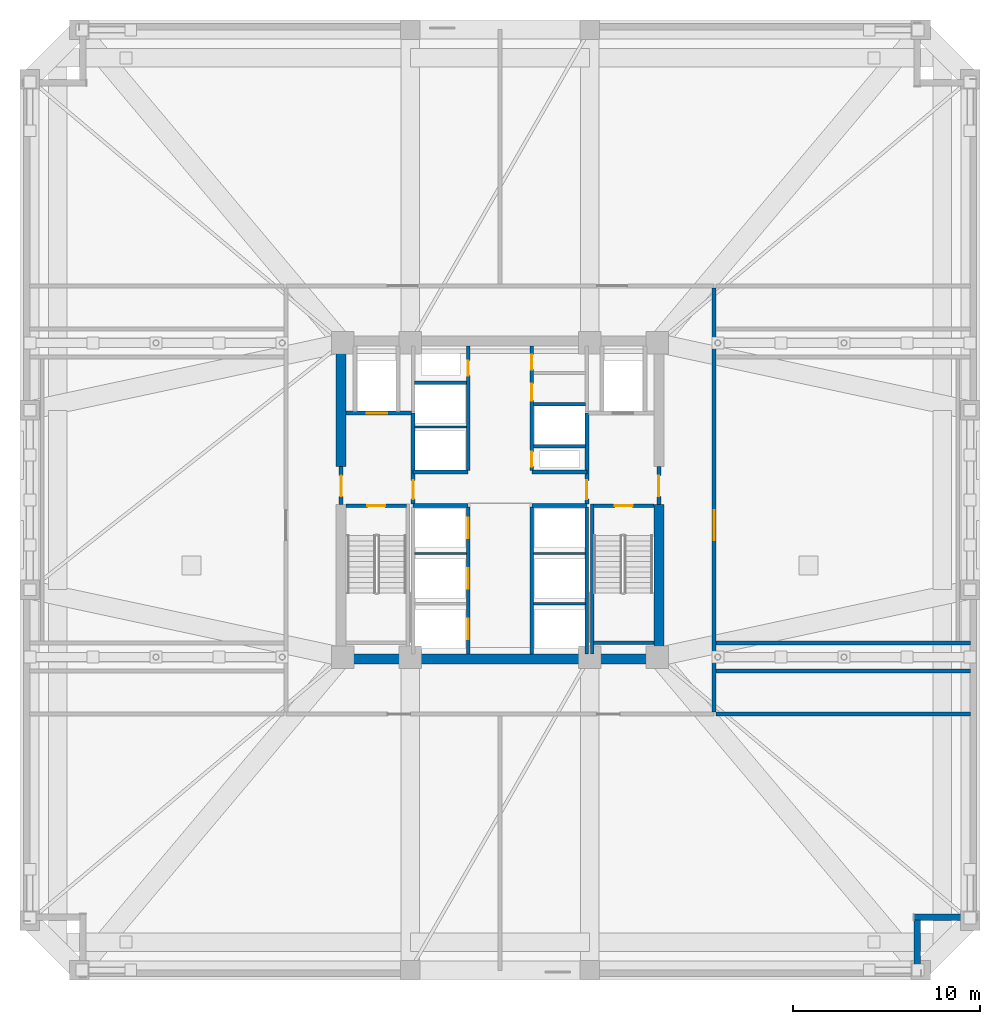
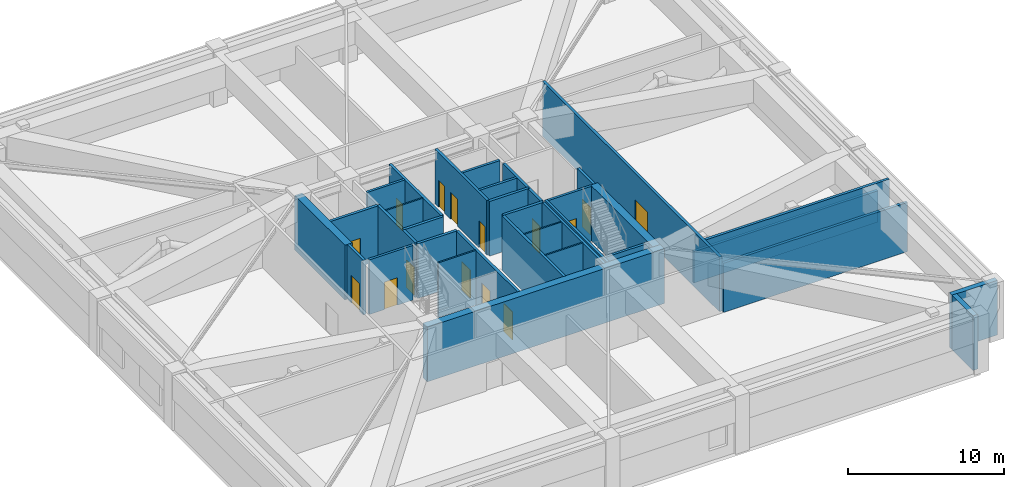
# One storey, part 7 of 13: 34 walls, 15 doors, 15 openings.
"""IFC4 building model written with IfcOpenShell, lengths in metres."""

from ifc_helpers import new_model, si_unit, direction, frame, frame_2d, origin, place, context, subcontext, project, spatial, rectangle, extrude, material, layer, layer_set, type_object, element, fill, save


model = new_model("IFC4")

# Units and contexts
model_context = context("Model", 3, precision=1e-05, world=origin(), true_north=direction((0.0, 1.0)))
body_context = subcontext(model_context, "Body", "Model", "MODEL_VIEW")
ifc_project = project(units=[si_unit("LENGTHUNIT", "METRE"), si_unit("AREAUNIT", "SQUARE_METRE"), si_unit("VOLUMEUNIT", "CUBIC_METRE"), si_unit("PLANEANGLEUNIT", "RADIAN"), si_unit("MASSUNIT", "GRAM", prefix="KILO")], contexts=[model_context])

# Site, building, storey
site_placement = place(None, origin())
site = spatial("IfcSite", under=ifc_project, at=site_placement, CompositionType="ELEMENT")
building_placement = place(site_placement, origin())
building = spatial("IfcBuilding", under=site, at=building_placement, Name="Cairnveth Concourse Tower", CompositionType="ELEMENT")
storey_placement = place(building_placement, frame((0.0, 0.0, 97.0)))
storey = spatial("IfcBuildingStorey", under=building, at=storey_placement, Name="L26", CompositionType="ELEMENT", Elevation=97.0)

# Walls
ifc_material_1 = material(Name="Concrete N80 (80 MPa)", Category="concrete")
ifc_layer_1 = layer(ifc_material_1, 0.550048828125)
ifc_layer_set_1 = layer_set([ifc_layer_1], Name="Concrete N80 (80 MPa)")
wall_type_1 = type_object("IfcWallType", Name="CORE SHEAR WALL 550", PredefinedType="SHEAR", material=ifc_layer_set_1)
wall_1_placement = place(storey_placement, frame((43.22509765625, 30.5, 0.0), z_axis=(0.0, 0.0, 1.0), x_axis=(1.0, 0.0, 0.0)))
element("IfcWall", 1, at=wall_1_placement, inside=storey, type_object=wall_type_1, Name="Core South Shear Wall L26", PredefinedType="SHEAR", context=body_context, shape_type="SweptSolid", body=[
    extrude(rectangle(XDim=17.5498046875, YDim=0.550048828125, at=frame_2d((8.77490234375, 0.0))), origin(), (0.0, 0.0, 1.0), 4.280029296875),
])
wall_2_placement = place(storey_placement, frame((43.5, 40.800048828125, 0.0), z_axis=(0.0, 0.0, 1.0), x_axis=(0.0, 1.0, 0.0)))
element("IfcWall", 2, at=wall_2_placement, inside=storey, type_object=wall_type_1, Name="Core West Shear Wall N L26", PredefinedType="SHEAR", context=body_context, shape_type="SweptSolid", body=[
    extrude(rectangle(XDim=6.43505859375, YDim=0.550048828125, at=frame_2d((3.217529296875, 0.0))), origin(), (0.0, 0.0, 1.0), 4.280029296875),
])
wall_3_placement = place(storey_placement, frame((60.5, 30.764892578125, 0.0), z_axis=(0.0, 0.0, 1.0), x_axis=(0.0, 1.0, 0.0)))
element("IfcWall", 3, at=wall_3_placement, inside=storey, type_object=wall_type_1, Name="Core East Shear Wall S L26", PredefinedType="SHEAR", context=body_context, shape_type="SweptSolid", body=[
    extrude(rectangle(XDim=7.985107421875, YDim=0.550048828125, at=frame_2d((3.99267578125, 0.0))), origin(), (0.0, 0.0, 1.0), 4.280029296875),
])
ifc_material_2 = material(Name="Concrete N50 (50 MPa)", Category="concrete")
ifc_layer_2 = layer(ifc_material_2, 0.179931640625)
ifc_layer_set_2 = layer_set([ifc_layer_2], Name="Concrete N50 (50 MPa)")
wall_type_2 = type_object("IfcWallType", Name="FIRE SHAFT WALL 180", PredefinedType="SOLIDWALL", material=ifc_layer_set_2)
wall_4_placement = place(storey_placement, frame((56.64990234375, 30.760009765625, 0.0), z_axis=(0.0, 0.0, 1.0), x_axis=(0.0, 1.0, 0.0)))
element("IfcWall", 4, at=wall_4_placement, inside=storey, type_object=wall_type_2, Name="Interior Wall IW-L26-028", PredefinedType="SOLIDWALL", context=body_context, shape_type="SweptSolid", body=[
    extrude(rectangle(XDim=7.85498046875, YDim=0.179931640625, at=frame_2d((3.927490234375, 0.0))), origin(), (0.0, 0.0, 1.0), 4.280029296875),
])
wall_5_placement = place(storey_placement, frame((47.425048828125, 45.280029296875, 0.0), z_axis=(0.0, 0.0, 1.0), x_axis=(1.0, 0.0, 0.0)))
element("IfcWall", 5, at=wall_5_placement, inside=storey, type_object=wall_type_2, Name="Interior Wall IW-L26-033", PredefinedType="SOLIDWALL", context=body_context, shape_type="SweptSolid", body=[
    extrude(rectangle(XDim=2.7900390625, YDim=0.179931640625, at=frame_2d((1.39501953125, 0.0))), origin(), (0.0, 0.0, 1.0), 4.280029296875),
])
wall_6_placement = place(storey_placement, frame((53.784912109375, 41.8798828125, 0.0), z_axis=(0.0, 0.0, 1.0), x_axis=(1.0, 0.0, 0.0)))
element("IfcWall", 6, at=wall_6_placement, inside=storey, type_object=wall_type_2, Name="Interior Wall IW-L26-035", PredefinedType="SOLIDWALL", context=body_context, shape_type="SweptSolid", body=[
    extrude(rectangle(XDim=2.780029296875, YDim=0.179931640625, at=frame_2d((1.39013671875, 0.0))), origin(), (0.0, 0.0, 1.0), 4.280029296875),
])
wall_7_placement = place(storey_placement, frame((53.784912109375, 44.1201171875, 0.0), z_axis=(0.0, 0.0, 1.0), x_axis=(1.0, 0.0, 0.0)))
element("IfcWall", 7, at=wall_7_placement, inside=storey, type_object=wall_type_2, Name="Interior Wall IW-L26-036", PredefinedType="SOLIDWALL", context=body_context, shape_type="SweptSolid", body=[
    extrude(rectangle(XDim=2.7900390625, YDim=0.179931640625, at=frame_2d((1.39501953125, 0.0))), origin(), (0.0, 0.0, 1.0), 4.280029296875),
])

# Wall, opening, door
wall_8_placement = place(storey_placement, frame((43.764892578125, 38.68994140625, 0.0), z_axis=(0.0, 0.0, 1.0), x_axis=(1.0, 0.0, 0.0)))
wall_8 = element("IfcWall", 8, at=wall_8_placement, inside=storey, type_object=wall_type_2, Name="Stair ST-1 Shaft Wall NEAR L26", PredefinedType="SOLIDWALL", context=body_context, shape_type="SweptSolid", body=[
    extrude(rectangle(XDim=3.230224609375, YDim=0.179931640625, at=frame_2d((1.615234375, 0.0))), origin(), (0.0, 0.0, 1.0), 4.280029296875),
])
opening_1_placement = place(wall_8_placement, frame((1.139892578125, 0.0, 0.0)))
opening_1 = element("IfcOpeningElement", 9, at=opening_1_placement, cuts=wall_8, Name="Opening ID12", PredefinedType="OPENING", context=body_context, shape_type="SweptSolid", body=[
    extrude(rectangle(XDim=0.949951171875, YDim=2.14990234375, at=frame_2d((0.47509765625, 1.074951171875))), frame((0.0, 0.099853515625, 0.0), z_axis=(0.0, -1.0, 0.0), x_axis=(1.0, 0.0, 0.0)), (0.0, 0.0, 1.0), 0.199951171875),
])
ifc_material_3 = material(Name="Steel Grade 350", Category="steel")
door_type_1 = type_object("IfcDoorType", Name="FIRE STAIR DOOR 950X2150", OperationType="NOTDEFINED", PredefinedType="DOOR", material=ifc_material_3)
door_1_placement = place(opening_1_placement, origin())
door_1 = element("IfcDoor", 10, at=door_1_placement, inside=storey, type_object=door_type_1, Name="Stair ST-1 Fire Door L26", OperationType="SINGLE_SWING_LEFT", OverallHeight=2.14990234375, OverallWidth=0.949951171875, PredefinedType="DOOR", context=body_context, shape_type="SweptSolid", body=[
    extrude(rectangle(XDim=0.949951171875, YDim=2.14990234375, at=frame_2d((0.47509765625, 1.074951171875))), frame((0.0, 0.02490234375, 0.0), z_axis=(0.0, -1.0, 0.0), x_axis=(1.0, 0.0, 0.0)), (0.0, 0.0, 1.0), 0.050048828125),
])
fill(opening_1, door_1)

wall_9_placement = place(storey_placement, frame((57.0048828125, 38.68994140625, 0.0), z_axis=(0.0, 0.0, 1.0), x_axis=(1.0, 0.0, 0.0)))
wall_9 = element("IfcWall", 11, at=wall_9_placement, inside=storey, type_object=wall_type_2, Name="Stair ST-2 Shaft Wall NEAR L26", PredefinedType="SOLIDWALL", context=body_context, shape_type="SweptSolid", body=[
    extrude(rectangle(XDim=3.230224609375, YDim=0.179931640625, at=frame_2d((1.615234375, 0.0))), origin(), (0.0, 0.0, 1.0), 4.280029296875),
])
opening_2_placement = place(wall_9_placement, frame((1.139892578125, 0.0, 0.0)))
opening_2 = element("IfcOpeningElement", 12, at=opening_2_placement, cuts=wall_9, Name="Opening ID12", PredefinedType="OPENING", context=body_context, shape_type="SweptSolid", body=[
    extrude(rectangle(XDim=0.949951171875, YDim=2.14990234375, at=frame_2d((0.47509765625, 1.074951171875))), frame((0.0, 0.099853515625, 0.0), z_axis=(0.0, -1.0, 0.0), x_axis=(1.0, 0.0, 0.0)), (0.0, 0.0, 1.0), 0.199951171875),
])
door_2_placement = place(opening_2_placement, origin())
door_2 = element("IfcDoor", 13, at=door_2_placement, inside=storey, type_object=door_type_1, Name="Stair ST-2 Fire Door L26", OperationType="SINGLE_SWING_RIGHT", OverallHeight=2.14990234375, OverallWidth=0.949951171875, PredefinedType="DOOR", context=body_context, shape_type="SweptSolid", body=[
    extrude(rectangle(XDim=0.949951171875, YDim=2.14990234375, at=frame_2d((0.47509765625, 1.074951171875))), frame((0.0, 0.02490234375, 0.0), z_axis=(0.0, -1.0, 0.0), x_axis=(1.0, 0.0, 0.0)), (0.0, 0.0, 1.0), 0.050048828125),
])
fill(opening_2, door_2)

# Walls
wall_10_placement = place(storey_placement, frame((57.0048828125, 31.360107421875, 0.0), z_axis=(0.0, 0.0, 1.0), x_axis=(1.0, 0.0, 0.0)))
element("IfcWall", 14, at=wall_10_placement, inside=storey, type_object=wall_type_2, Name="Stair ST-2 Shaft Wall FAR L26", PredefinedType="SOLIDWALL", context=body_context, shape_type="SweptSolid", body=[
    extrude(rectangle(XDim=3.230224609375, YDim=0.179931640625, at=frame_2d((1.615234375, 0.0))), origin(), (0.0, 0.0, 1.0), 4.280029296875),
])
wall_11_placement = place(storey_placement, frame((56.929931640625, 38.780029296875, 0.0), z_axis=(0.0, 0.0, 1.0), x_axis=(0.0, -1.0, 0.0)))
element("IfcWall", 15, at=wall_11_placement, inside=storey, type_object=wall_type_2, Name="Stair ST-2 Shaft Wall LEFT L26", PredefinedType="SOLIDWALL", context=body_context, shape_type="SweptSolid", body=[
    extrude(rectangle(XDim=8.01708984375, YDim=0.179931640625, at=frame_2d((4.008544921875, 0.0))), origin(), (0.0, 0.0, 1.0), 4.280029296875),
])
ifc_layer_3 = layer(ifc_material_2, 0.199951171875)
ifc_layer_set_3 = layer_set([ifc_layer_3], Name="Concrete N50 (50 MPa)")
wall_type_3 = type_object("IfcWallType", Name="FIRE SHAFT WALL 200", PredefinedType="SOLIDWALL", material=ifc_layer_set_3)
for number, where, z_axis, x_axis, name in (
    (16, (47.35009765625, 38.699951171875, 0.0), (0.0, 0.0, 1.0), (1.0, 0.0, 0.0), "Interior Wall IW-L26-007"),
    (17, (47.35009765625, 40.5, 0.0), (0.0, 0.0, 1.0), (1.0, 0.0, 0.0), "Interior Wall IW-L26-008"),
    (18, (53.699951171875, 38.699951171875, 0.0), (0.0, 0.0, 1.0), (1.0, 0.0, 0.0), "Interior Wall IW-L26-009"),
    (19, (53.699951171875, 40.5, 0.0), (0.0, 0.0, 1.0), (1.0, 0.0, 0.0), "Interior Wall IW-L26-010"),
):
    element("IfcWall", number, at=place(storey_placement, frame(where, z_axis=z_axis, x_axis=x_axis)), inside=storey, type_object=wall_type_3, Name=name, PredefinedType="SOLIDWALL", context=body_context, shape_type="SweptSolid", body=[
        extrude(rectangle(XDim=2.949951171875, YDim=0.199951171875, at=frame_2d((1.47509765625, 0.0))), origin(), (0.0, 0.0, 1.0), 4.280029296875),
    ])

# Wall, openings, doors
wall_12_placement = place(storey_placement, frame((50.300048828125, 30.760009765625, 0.0), z_axis=(0.0, 0.0, 1.0), x_axis=(0.0, 1.0, 0.0)))
wall_12 = element("IfcWall", 20, at=wall_12_placement, inside=storey, type_object=wall_type_3, Name="Interior Wall IW-L26-011", PredefinedType="SOLIDWALL", context=body_context, shape_type="SweptSolid", body=[
    extrude(rectangle(XDim=7.85498046875, YDim=0.199951171875, at=frame_2d((3.927490234375, 0.0))), origin(), (0.0, 0.0, 1.0), 4.280029296875),
])
opening_3_placement = place(wall_12_placement, frame((0.7900390625, 0.0, 0.0)))
opening_3 = element("IfcOpeningElement", 21, at=opening_3_placement, cuts=wall_12, Name="Opening LD-1", PredefinedType="OPENING", context=body_context, shape_type="SweptSolid", body=[
    extrude(rectangle(XDim=1.10009765625, YDim=2.199951171875, at=frame_2d((0.550048828125, 1.10009765625))), frame((0.0, 0.10986328125, 0.0), z_axis=(0.0, -1.0, 0.0), x_axis=(1.0, 0.0, 0.0)), (0.0, 0.0, 1.0), 0.219970703125),
])
opening_4_placement = place(wall_12_placement, frame((3.489990234375, 0.0, 0.0)))
opening_4 = element("IfcOpeningElement", 22, at=opening_4_placement, cuts=wall_12, Name="Opening LD-1", PredefinedType="OPENING", context=body_context, shape_type="SweptSolid", body=[
    extrude(rectangle(XDim=1.10009765625, YDim=2.199951171875, at=frame_2d((0.550048828125, 1.10009765625))), frame((0.0, 0.10986328125, 0.0), z_axis=(0.0, -1.0, 0.0), x_axis=(1.0, 0.0, 0.0)), (0.0, 0.0, 1.0), 0.219970703125),
])
opening_5_placement = place(wall_12_placement, frame((6.18994140625, 0.0, 0.0)))
opening_5 = element("IfcOpeningElement", 23, at=opening_5_placement, cuts=wall_12, Name="Opening LD-1", PredefinedType="OPENING", context=body_context, shape_type="SweptSolid", body=[
    extrude(rectangle(XDim=1.10009765625, YDim=2.199951171875, at=frame_2d((0.550048828125, 1.10009765625))), frame((0.0, 0.10986328125, 0.0), z_axis=(0.0, -1.0, 0.0), x_axis=(1.0, 0.0, 0.0)), (0.0, 0.0, 1.0), 0.219970703125),
])
ifc_material_4 = material(Name="Architectural Bronze Anodised Aluminium 6063-T6", Category="aluminium")
door_type_2 = type_object("IfcDoorType", Name="LIFT LANDING DOOR 1100X2200", OperationType="SLIDING_TO_LEFT", PredefinedType="DOOR", material=ifc_material_4)
door_3_placement = place(opening_3_placement, origin())
door_3 = element("IfcDoor", 24, at=door_3_placement, inside=storey, type_object=door_type_2, Name="Lift PL1 Landing Door L26", OperationType="SLIDING_TO_LEFT", OverallHeight=2.199951171875, OverallWidth=1.10009765625, PredefinedType="DOOR", context=body_context, shape_type="SweptSolid", body=[
    extrude(rectangle(XDim=1.10009765625, YDim=2.199951171875, at=frame_2d((0.550048828125, 1.10009765625))), frame((0.0, 0.02490234375, 0.0), z_axis=(0.0, -1.0, 0.0), x_axis=(1.0, 0.0, 0.0)), (0.0, 0.0, 1.0), 0.050048828125),
])
fill(opening_3, door_3)
door_4_placement = place(opening_4_placement, origin())
door_4 = element("IfcDoor", 25, at=door_4_placement, inside=storey, type_object=door_type_2, Name="Lift PL2 Landing Door L26", OperationType="SLIDING_TO_LEFT", OverallHeight=2.199951171875, OverallWidth=1.10009765625, PredefinedType="DOOR", context=body_context, shape_type="SweptSolid", body=[
    extrude(rectangle(XDim=1.10009765625, YDim=2.199951171875, at=frame_2d((0.550048828125, 1.10009765625))), frame((0.0, 0.02490234375, 0.0), z_axis=(0.0, -1.0, 0.0), x_axis=(1.0, 0.0, 0.0)), (0.0, 0.0, 1.0), 0.050048828125),
])
fill(opening_4, door_4)
door_5_placement = place(opening_5_placement, origin())
door_5 = element("IfcDoor", 26, at=door_5_placement, inside=storey, type_object=door_type_2, Name="Lift PL3 Landing Door L26", OperationType="SLIDING_TO_LEFT", OverallHeight=2.199951171875, OverallWidth=1.10009765625, PredefinedType="DOOR", context=body_context, shape_type="SweptSolid", body=[
    extrude(rectangle(XDim=1.10009765625, YDim=2.199951171875, at=frame_2d((0.550048828125, 1.10009765625))), frame((0.0, 0.02490234375, 0.0), z_axis=(0.0, -1.0, 0.0), x_axis=(1.0, 0.0, 0.0)), (0.0, 0.0, 1.0), 0.050048828125),
])
fill(opening_5, door_5)

# Wall
wall_13_placement = place(storey_placement, frame((53.699951171875, 30.760009765625, 0.0), z_axis=(0.0, 0.0, 1.0), x_axis=(0.0, 1.0, 0.0)))
element("IfcWall", 27, at=wall_13_placement, inside=storey, type_object=wall_type_3, Name="Interior Wall IW-L26-012", PredefinedType="SOLIDWALL", context=body_context, shape_type="SweptSolid", body=[
    extrude(rectangle(XDim=7.85498046875, YDim=0.199951171875, at=frame_2d((3.927490234375, 0.0))), origin(), (0.0, 0.0, 1.0), 4.280029296875),
])

# Wall, opening, door
wall_14_placement = place(storey_placement, frame((50.300048828125, 40.5849609375, 0.0), z_axis=(0.0, 0.0, 1.0), x_axis=(0.0, 1.0, 0.0)))
wall_14 = element("IfcWall", 28, at=wall_14_placement, inside=storey, type_object=wall_type_3, Name="Interior Wall IW-L26-013", PredefinedType="SOLIDWALL", context=body_context, shape_type="SweptSolid", body=[
    extrude(rectangle(XDim=6.655029296875, YDim=0.199951171875, at=frame_2d((3.32763671875, 0.0))), origin(), (0.0, 0.0, 1.0), 4.280029296875),
])
opening_6_placement = place(wall_14_placement, frame((5.06494140625, 0.0, 0.0)))
opening_6 = element("IfcOpeningElement", 29, at=opening_6_placement, cuts=wall_14, Name="Opening ID24", PredefinedType="OPENING", context=body_context, shape_type="SweptSolid", body=[
    extrude(rectangle(XDim=0.800048828125, YDim=2.080078125, at=frame_2d((0.39990234375, 1.0400390625))), frame((0.0, 0.10986328125, 0.0), z_axis=(0.0, -1.0, 0.0), x_axis=(1.0, 0.0, 0.0)), (0.0, 0.0, 1.0), 0.219970703125),
])
door_type_3 = type_object("IfcDoorType", Name="RISER ACCESS DOOR 800X2100", OperationType="NOTDEFINED", PredefinedType="DOOR", material=ifc_material_3)
door_6_placement = place(opening_6_placement, origin())
door_6 = element("IfcDoor", 30, at=door_6_placement, inside=storey, type_object=door_type_3, Name="NW Electrical Riser Access Door L26", OperationType="SINGLE_SWING_RIGHT", OverallHeight=2.080078125, OverallWidth=0.800048828125, PredefinedType="DOOR", context=body_context, shape_type="SweptSolid", body=[
    extrude(rectangle(XDim=0.800048828125, YDim=2.080078125, at=frame_2d((0.39990234375, 1.0400390625))), frame((0.0, 0.02490234375, 0.0), z_axis=(0.0, -1.0, 0.0), x_axis=(1.0, 0.0, 0.0)), (0.0, 0.0, 1.0), 0.050048828125),
])
fill(opening_6, door_6)

# Wall, openings, doors
wall_15_placement = place(storey_placement, frame((53.699951171875, 40.5849609375, 0.0), z_axis=(0.0, 0.0, 1.0), x_axis=(0.0, 1.0, 0.0)))
wall_15 = element("IfcWall", 31, at=wall_15_placement, inside=storey, type_object=wall_type_3, Name="Interior Wall IW-L26-014", PredefinedType="SOLIDWALL", context=body_context, shape_type="SweptSolid", body=[
    extrude(rectangle(XDim=6.655029296875, YDim=0.199951171875, at=frame_2d((3.32763671875, 0.0))), origin(), (0.0, 0.0, 1.0), 4.280029296875),
])
opening_7_placement = place(wall_15_placement, frame((0.195068359375, 0.0, 0.0)))
opening_7 = element("IfcOpeningElement", 32, at=opening_7_placement, cuts=wall_15, Name="Opening ID24", PredefinedType="OPENING", context=body_context, shape_type="SweptSolid", body=[
    extrude(rectangle(XDim=0.800048828125, YDim=2.080078125, at=frame_2d((0.39990234375, 1.0400390625))), frame((0.0, 0.10986328125, 0.0), z_axis=(0.0, -1.0, 0.0), x_axis=(1.0, 0.0, 0.0)), (0.0, 0.0, 1.0), 0.219970703125),
])
opening_8_placement = place(wall_15_placement, frame((3.735107421875, 0.0, 0.0)))
opening_8 = element("IfcOpeningElement", 33, at=opening_8_placement, cuts=wall_15, Name="Opening ID26", PredefinedType="OPENING", context=body_context, shape_type="SweptSolid", body=[
    extrude(rectangle(XDim=0.89990234375, YDim=2.1201171875, at=frame_2d((0.449951171875, 1.06005859375))), frame((0.0, 0.10986328125, 0.0), z_axis=(0.0, -1.0, 0.0), x_axis=(1.0, 0.0, 0.0)), (0.0, 0.0, 1.0), 0.219970703125),
])
opening_9_placement = place(wall_15_placement, frame((5.39501953125, 0.0, 0.0)))
opening_9 = element("IfcOpeningElement", 34, at=opening_9_placement, cuts=wall_15, Name="Opening ID23", PredefinedType="OPENING", context=body_context, shape_type="SweptSolid", body=[
    extrude(rectangle(XDim=0.800048828125, YDim=2.10009765625, at=frame_2d((0.39990234375, 1.050048828125))), frame((0.0, 0.10986328125, 0.0), z_axis=(0.0, -1.0, 0.0), x_axis=(1.0, 0.0, 0.0)), (0.0, 0.0, 1.0), 0.219970703125),
])
door_type_4 = type_object("IfcDoorType", Name="CORE SERVICE DOOR 800X2100", OperationType="NOTDEFINED", PredefinedType="DOOR", material=ifc_material_3)
door_7_placement = place(opening_9_placement, origin())
door_7 = element("IfcDoor", 35, at=door_7_placement, inside=storey, type_object=door_type_4, Name="Core NE Cleaners Door L26", OperationType="SINGLE_SWING_LEFT", OverallHeight=2.10009765625, OverallWidth=0.800048828125, PredefinedType="DOOR", context=body_context, shape_type="SweptSolid", body=[
    extrude(rectangle(XDim=0.800048828125, YDim=2.10009765625, at=frame_2d((0.39990234375, 1.050048828125))), frame((0.0, 0.02490234375, 0.0), z_axis=(0.0, -1.0, 0.0), x_axis=(1.0, 0.0, 0.0)), (0.0, 0.0, 1.0), 0.050048828125),
])
fill(opening_9, door_7)
door_type_5 = type_object("IfcDoorType", Name="CORE TOILET FIRE DOOR 900X2120", OperationType="NOTDEFINED", PredefinedType="DOOR", material=ifc_material_3)
door_8_placement = place(opening_8_placement, origin())
door_8 = element("IfcDoor", 36, at=door_8_placement, inside=storey, type_object=door_type_5, Name="Core NE Unisex WC Door L26", OperationType="SINGLE_SWING_RIGHT", OverallHeight=2.1201171875, OverallWidth=0.89990234375, PredefinedType="DOOR", context=body_context, shape_type="SweptSolid", body=[
    extrude(rectangle(XDim=0.89990234375, YDim=2.1201171875, at=frame_2d((0.449951171875, 1.06005859375))), frame((0.0, 0.02490234375, 0.0), z_axis=(0.0, -1.0, 0.0), x_axis=(1.0, 0.0, 0.0)), (0.0, 0.0, 1.0), 0.050048828125),
])
fill(opening_8, door_8)
door_9_placement = place(opening_7_placement, origin())
door_9 = element("IfcDoor", 37, at=door_9_placement, inside=storey, type_object=door_type_3, Name="Hydraulic Riser Door L26", OperationType="SINGLE_SWING_LEFT", OverallHeight=2.080078125, OverallWidth=0.800048828125, PredefinedType="DOOR", context=body_context, shape_type="SweptSolid", body=[
    extrude(rectangle(XDim=0.800048828125, YDim=2.080078125, at=frame_2d((0.39990234375, 1.0400390625))), frame((0.0, 0.02490234375, 0.0), z_axis=(0.0, -1.0, 0.0), x_axis=(1.0, 0.0, 0.0)), (0.0, 0.0, 1.0), 0.050048828125),
])
fill(opening_7, door_9)

# Wall, opening, door
wall_16_placement = place(storey_placement, frame((43.5, 38.75, 0.0), z_axis=(0.0, 0.0, 1.0), x_axis=(0.0, 1.0, 0.0)))
wall_16 = element("IfcWall", 38, at=wall_16_placement, inside=storey, type_object=wall_type_3, Name="Interior Wall IW-L26-015", PredefinedType="SOLIDWALL", context=body_context, shape_type="SweptSolid", body=[
    extrude(rectangle(XDim=2.050048828125, YDim=0.199951171875, at=frame_2d((1.02490234375, 0.0))), origin(), (0.0, 0.0, 1.0), 4.280029296875),
])
opening_10_placement = place(wall_16_placement, frame((0.449951171875, 0.0, 0.0)))
opening_10 = element("IfcOpeningElement", 39, at=opening_10_placement, cuts=wall_16, Name="Opening ID06", PredefinedType="OPENING", context=body_context, shape_type="SweptSolid", body=[
    extrude(rectangle(XDim=1.10009765625, YDim=2.14990234375, at=frame_2d((0.550048828125, 1.074951171875))), frame((0.0, 0.10986328125, 0.0), z_axis=(0.0, -1.0, 0.0), x_axis=(1.0, 0.0, 0.0)), (0.0, 0.0, 1.0), 0.219970703125),
])
door_type_6 = type_object("IfcDoorType", Name="FIRE CORRIDOR DOOR 1100X2150", OperationType="NOTDEFINED", PredefinedType="DOOR", material=ifc_material_3)
door_10_placement = place(opening_10_placement, origin())
door_10 = element("IfcDoor", 40, at=door_10_placement, inside=storey, type_object=door_type_6, Name="West Wing to FF Lobby Door L26", OperationType="SINGLE_SWING_LEFT", OverallHeight=2.14990234375, OverallWidth=1.10009765625, PredefinedType="DOOR", context=body_context, shape_type="SweptSolid", body=[
    extrude(rectangle(XDim=1.10009765625, YDim=2.14990234375, at=frame_2d((0.550048828125, 1.074951171875))), frame((0.0, 0.02490234375, 0.0), z_axis=(0.0, -1.0, 0.0), x_axis=(1.0, 0.0, 0.0)), (0.0, 0.0, 1.0), 0.050048828125),
])
fill(opening_10, door_10)

wall_17_placement = place(storey_placement, frame((47.35009765625, 38.784912109375, 0.0), z_axis=(0.0, 0.0, 1.0), x_axis=(0.0, 1.0, 0.0)))
wall_17 = element("IfcWall", 41, at=wall_17_placement, inside=storey, type_object=wall_type_3, Name="Interior Wall IW-L26-016", PredefinedType="SOLIDWALL", context=body_context, shape_type="SweptSolid", body=[
    extrude(rectangle(XDim=4.864990234375, YDim=0.199951171875, at=frame_2d((2.4326171875, 0.0))), origin(), (0.0, 0.0, 1.0), 4.280029296875),
])
opening_11_placement = place(wall_17_placement, frame((0.264892578125, 0.0, 0.0)))
opening_11 = element("IfcOpeningElement", 42, at=opening_11_placement, cuts=wall_17, Name="Opening ID07", PredefinedType="OPENING", context=body_context, shape_type="SweptSolid", body=[
    extrude(rectangle(XDim=1.0, YDim=2.14990234375, at=frame_2d((0.5, 1.074951171875))), frame((0.0, 0.10986328125, 0.0), z_axis=(0.0, -1.0, 0.0), x_axis=(1.0, 0.0, 0.0)), (0.0, 0.0, 1.0), 0.219970703125),
])
door_type_7 = type_object("IfcDoorType", Name="FIRE CORRIDOR DOOR 1000X2150", OperationType="NOTDEFINED", PredefinedType="DOOR", material=ifc_material_3)
door_11_placement = place(opening_11_placement, origin())
door_11 = element("IfcDoor", 43, at=door_11_placement, inside=storey, type_object=door_type_7, Name="FF Lobby West to Lift Lobby Door L26", OperationType="SINGLE_SWING_RIGHT", OverallHeight=2.14990234375, OverallWidth=1.0, PredefinedType="DOOR", context=body_context, shape_type="SweptSolid", body=[
    extrude(rectangle(XDim=1.0, YDim=2.14990234375, at=frame_2d((0.5, 1.074951171875))), frame((0.0, 0.02490234375, 0.0), z_axis=(0.0, -1.0, 0.0), x_axis=(1.0, 0.0, 0.0)), (0.0, 0.0, 1.0), 0.050048828125),
])
fill(opening_11, door_11)

wall_18_placement = place(storey_placement, frame((43.760009765625, 43.64990234375, 0.0), z_axis=(0.0, 0.0, 1.0), x_axis=(1.0, 0.0, 0.0)))
wall_18 = element("IfcWall", 44, at=wall_18_placement, inside=storey, type_object=wall_type_3, Name="Interior Wall IW-L26-017", PredefinedType="SOLIDWALL", context=body_context, shape_type="SweptSolid", body=[
    extrude(rectangle(XDim=3.5048828125, YDim=0.199951171875, at=frame_2d((1.75244140625, 0.0))), origin(), (0.0, 0.0, 1.0), 4.280029296875),
])
opening_12_placement = place(wall_18_placement, frame((1.110107421875, 0.0, 0.0)))
opening_12 = element("IfcOpeningElement", 45, at=opening_12_placement, cuts=wall_18, Name="Opening LD-1", PredefinedType="OPENING", context=body_context, shape_type="SweptSolid", body=[
    extrude(rectangle(XDim=1.10009765625, YDim=2.199951171875, at=frame_2d((0.550048828125, 1.10009765625))), frame((0.0, 0.10986328125, 0.0), z_axis=(0.0, -1.0, 0.0), x_axis=(1.0, 0.0, 0.0)), (0.0, 0.0, 1.0), 0.219970703125),
])
door_12_placement = place(opening_12_placement, origin())
door_12 = element("IfcDoor", 46, at=door_12_placement, inside=storey, type_object=door_type_2, Name="Lift FFL1 Landing Door L26", OperationType="SLIDING_TO_LEFT", OverallHeight=2.199951171875, OverallWidth=1.10009765625, PredefinedType="DOOR", context=body_context, shape_type="SweptSolid", body=[
    extrude(rectangle(XDim=1.10009765625, YDim=2.199951171875, at=frame_2d((0.550048828125, 1.10009765625))), frame((0.0, 0.02490234375, 0.0), z_axis=(0.0, -1.0, 0.0), x_axis=(1.0, 0.0, 0.0)), (0.0, 0.0, 1.0), 0.050048828125),
])
fill(opening_12, door_12)

wall_19_placement = place(storey_placement, frame((60.5, 38.75, 0.0), z_axis=(0.0, 0.0, 1.0), x_axis=(0.0, 1.0, 0.0)))
wall_19 = element("IfcWall", 47, at=wall_19_placement, inside=storey, type_object=wall_type_3, Name="Interior Wall IW-L26-020", PredefinedType="SOLIDWALL", context=body_context, shape_type="SweptSolid", body=[
    extrude(rectangle(XDim=2.050048828125, YDim=0.199951171875, at=frame_2d((1.02490234375, 0.0))), origin(), (0.0, 0.0, 1.0), 4.280029296875),
])
opening_13_placement = place(wall_19_placement, frame((0.449951171875, 0.0, 0.0)))
opening_13 = element("IfcOpeningElement", 48, at=opening_13_placement, cuts=wall_19, Name="Opening ID06", PredefinedType="OPENING", context=body_context, shape_type="SweptSolid", body=[
    extrude(rectangle(XDim=1.10009765625, YDim=2.14990234375, at=frame_2d((0.550048828125, 1.074951171875))), frame((0.0, 0.10986328125, 0.0), z_axis=(0.0, -1.0, 0.0), x_axis=(1.0, 0.0, 0.0)), (0.0, 0.0, 1.0), 0.219970703125),
])
door_13_placement = place(opening_13_placement, origin())
door_13 = element("IfcDoor", 49, at=door_13_placement, inside=storey, type_object=door_type_6, Name="East Wing to FF Lobby Door L26", OperationType="SINGLE_SWING_RIGHT", OverallHeight=2.14990234375, OverallWidth=1.10009765625, PredefinedType="DOOR", context=body_context, shape_type="SweptSolid", body=[
    extrude(rectangle(XDim=1.10009765625, YDim=2.14990234375, at=frame_2d((0.550048828125, 1.074951171875))), frame((0.0, 0.02490234375, 0.0), z_axis=(0.0, -1.0, 0.0), x_axis=(1.0, 0.0, 0.0)), (0.0, 0.0, 1.0), 0.050048828125),
])
fill(opening_13, door_13)

wall_20_placement = place(storey_placement, frame((56.64990234375, 38.784912109375, 0.0), z_axis=(0.0, 0.0, 1.0), x_axis=(0.0, 1.0, 0.0)))
wall_20 = element("IfcWall", 50, at=wall_20_placement, inside=storey, type_object=wall_type_3, Name="Interior Wall IW-L26-021", PredefinedType="SOLIDWALL", context=body_context, shape_type="SweptSolid", body=[
    extrude(rectangle(XDim=4.864990234375, YDim=0.199951171875, at=frame_2d((2.4326171875, 0.0))), origin(), (0.0, 0.0, 1.0), 4.280029296875),
])
opening_14_placement = place(wall_20_placement, frame((0.264892578125, 0.0, 0.0)))
opening_14 = element("IfcOpeningElement", 51, at=opening_14_placement, cuts=wall_20, Name="Opening ID07", PredefinedType="OPENING", context=body_context, shape_type="SweptSolid", body=[
    extrude(rectangle(XDim=1.0, YDim=2.14990234375, at=frame_2d((0.5, 1.074951171875))), frame((0.0, 0.10986328125, 0.0), z_axis=(0.0, -1.0, 0.0), x_axis=(1.0, 0.0, 0.0)), (0.0, 0.0, 1.0), 0.219970703125),
])
door_14_placement = place(opening_14_placement, origin())
door_14 = element("IfcDoor", 52, at=door_14_placement, inside=storey, type_object=door_type_7, Name="FF Lobby East to Lift Lobby Door L26", OperationType="SINGLE_SWING_LEFT", OverallHeight=2.14990234375, OverallWidth=1.0, PredefinedType="DOOR", context=body_context, shape_type="SweptSolid", body=[
    extrude(rectangle(XDim=1.0, YDim=2.14990234375, at=frame_2d((0.5, 1.074951171875))), frame((0.0, 0.02490234375, 0.0), z_axis=(0.0, -1.0, 0.0), x_axis=(1.0, 0.0, 0.0)), (0.0, 0.0, 1.0), 0.050048828125),
])
fill(opening_14, door_14)

wall_21_placement = place(storey_placement, frame((63.449951171875, 27.64990234375, 0.0), z_axis=(0.0, 0.0, 1.0), x_axis=(0.0, 1.0, 0.0)))
wall_21 = element("IfcWall", 53, at=wall_21_placement, inside=storey, type_object=wall_type_3, Name="Interior Wall IW-L26-041", PredefinedType="SOLIDWALL", context=body_context, shape_type="SweptSolid", body=[
    extrude(rectangle(XDim=22.7001953125, YDim=0.199951171875, at=frame_2d((11.35009765625, 0.0))), origin(), (0.0, 0.0, 1.0), 4.280029296875),
])
opening_15_placement = place(wall_21_placement, frame((9.199951171875, 0.0, 0.0)))
opening_15 = element("IfcOpeningElement", 54, at=opening_15_placement, cuts=wall_21, Name="Opening ID02", PredefinedType="OPENING", context=body_context, shape_type="SweptSolid", body=[
    extrude(rectangle(XDim=1.60009765625, YDim=2.199951171875, at=frame_2d((0.800048828125, 1.10009765625))), frame((0.0, 0.10986328125, 0.0), z_axis=(0.0, -1.0, 0.0), x_axis=(1.0, 0.0, 0.0)), (0.0, 0.0, 1.0), 0.219970703125),
])
door_type_8 = type_object("IfcDoorType", Name="PLANT DOUBLE DOOR 1600X2200", OperationType="DOUBLE_DOOR_SINGLE_SWING", PredefinedType="DOOR", material=ifc_material_3)
door_15_placement = place(opening_15_placement, origin())
door_15 = element("IfcDoor", 55, at=door_15_placement, inside=storey, type_object=door_type_8, Name="Interior Door DR-L26-019", OperationType="DOUBLE_DOOR_SINGLE_SWING", OverallHeight=2.199951171875, OverallWidth=1.60009765625, PredefinedType="DOOR", context=body_context, shape_type="SweptSolid", body=[
    extrude(rectangle(XDim=1.60009765625, YDim=2.199951171875, at=frame_2d((0.800048828125, 1.10009765625))), frame((0.0, 0.02490234375, 0.0), z_axis=(0.0, -1.0, 0.0), x_axis=(1.0, 0.0, 0.0)), (0.0, 0.0, 1.0), 0.050048828125),
])
fill(opening_15, door_15)

# Walls
wall_22_placement = place(storey_placement, frame((63.550048828125, 29.85009765625, 0.0), z_axis=(0.0, 0.0, 1.0), x_axis=(1.0, 0.0, 0.0)))
element("IfcWall", 56, at=wall_22_placement, inside=storey, type_object=wall_type_3, Name="Interior Wall IW-L26-043", PredefinedType="SOLIDWALL", context=body_context, shape_type="SweptSolid", body=[
    extrude(rectangle(XDim=13.60498046875, YDim=0.199951171875, at=frame_2d((6.802490234375, 0.0))), origin(), (0.0, 0.0, 1.0), 4.280029296875),
])
wall_23_placement = place(storey_placement, frame((63.550048828125, 31.35009765625, 0.0), z_axis=(0.0, 0.0, 1.0), x_axis=(1.0, 0.0, 0.0)))
element("IfcWall", 57, at=wall_23_placement, inside=storey, type_object=wall_type_3, Name="Interior Wall IW-L26-045", PredefinedType="SOLIDWALL", context=body_context, shape_type="SweptSolid", body=[
    extrude(rectangle(XDim=13.60498046875, YDim=0.199951171875, at=frame_2d((6.802490234375, 0.0))), origin(), (0.0, 0.0, 1.0), 2.455078125),
])
wall_24_placement = place(storey_placement, frame((63.550048828125, 27.550048828125, 0.0), z_axis=(0.0, 0.0, 1.0), x_axis=(1.0, 0.0, 0.0)))
element("IfcWall", 58, at=wall_24_placement, inside=storey, type_object=wall_type_3, Name="Interior Wall IW-L26-054", PredefinedType="SOLIDWALL", context=body_context, shape_type="SweptSolid", body=[
    extrude(rectangle(XDim=13.60498046875, YDim=0.199951171875, at=frame_2d((6.802490234375, 0.0))), origin(), (0.0, 0.0, 1.0), 3.84912109375),
])
ifc_material_5 = material(Name="Gypsum Plasterboard Partition", Category="gypsum")
ifc_layer_4 = layer(ifc_material_5, 0.110107421875)
ifc_layer_set_4 = layer_set([ifc_layer_4], Name="Gypsum Plasterboard Partition")
wall_type_4 = type_object("IfcWallType", Name="SHAFT DIVIDER WALL 140", PredefinedType="PARTITIONING", material=ifc_layer_set_4)
for number, where, z_axis, x_axis, name in (
    (59, (47.425048828125, 36.14990234375, 0.0), (0.0, 0.0, 1.0), (1.0, 0.0, 0.0), "Interior Wall IW-L26-027"),
    (60, (53.784912109375, 33.449951171875, 0.0), (0.0, 0.0, 1.0), (1.0, 0.0, 0.0), "Interior Wall IW-L26-029"),
    (61, (53.784912109375, 36.14990234375, 0.0), (0.0, 0.0, 1.0), (1.0, 0.0, 0.0), "Interior Wall IW-L26-030"),
):
    element("IfcWall", number, at=place(storey_placement, frame(where, z_axis=z_axis, x_axis=x_axis)), inside=storey, type_object=wall_type_4, Name=name, PredefinedType="PARTITIONING", context=body_context, shape_type="SweptSolid", body=[
        extrude(rectangle(XDim=2.7900390625, YDim=0.110107421875, at=frame_2d((1.39501953125, 0.0))), origin(), (0.0, 0.0, 1.0), 4.280029296875),
    ])
wall_25_placement = place(storey_placement, frame((47.43505859375, 42.89990234375, 0.0), z_axis=(0.0, 0.0, 1.0), x_axis=(1.0, 0.0, 0.0)))
element("IfcWall", 62, at=wall_25_placement, inside=storey, type_object=wall_type_4, Name="Interior Wall IW-L26-032", PredefinedType="PARTITIONING", context=body_context, shape_type="SweptSolid", body=[
    extrude(rectangle(XDim=2.780029296875, YDim=0.110107421875, at=frame_2d((1.39013671875, 0.0))), origin(), (0.0, 0.0, 1.0), 4.280029296875),
])
ifc_material_6 = material(Name="Hawthorn Red-Ochre Fired Clay Brick Masonry", Category="masonry")
ifc_layer_5 = layer(ifc_material_6, 0.360107421875)
ifc_layer_set_5 = layer_set([ifc_layer_5], Name="Hawthorn Red-Ochre Fired Clay Brick Masonry")
wall_type_5 = type_object("IfcWallType", Name="ZONE 1 BRICK PIER SPANDREL WALL 360", PredefinedType="SOLIDWALL", material=ifc_layer_set_5)
wall_26_placement = place(storey_placement, frame((77.5, 16.679931640625, 0.0), z_axis=(0.0, 0.0, 1.0), x_axis=(-1.0, 0.0, 0.0)))
element("IfcWall", 63, at=wall_26_placement, inside=storey, type_object=wall_type_5, Name="Exterior Wall EW-L26-S09", PredefinedType="SOLIDWALL", context=body_context, shape_type="SweptSolid", body=[
    extrude(rectangle(XDim=3.360107421875, YDim=0.360107421875, at=frame_2d((1.68017578125, 0.0))), origin(), (0.0, 0.0, 1.0), 4.280029296875),
])
wall_27_placement = place(storey_placement, frame((74.320068359375, 16.52197265625, 0.0), z_axis=(0.0, 0.0, 1.0), x_axis=(0.0, -1.0, 0.0)))
element("IfcWall", 64, at=wall_27_placement, inside=storey, type_object=wall_type_5, Name="Exterior Wall EW-L26-S10", PredefinedType="SOLIDWALL", context=body_context, shape_type="SweptSolid", body=[
    extrude(rectangle(XDim=2.68408203125, YDim=0.360107421875, at=frame_2d((1.342041015625, 0.0))), origin(), (0.0, 0.0, 1.0), 4.280029296875),
])

save(model, "model.ifc")
